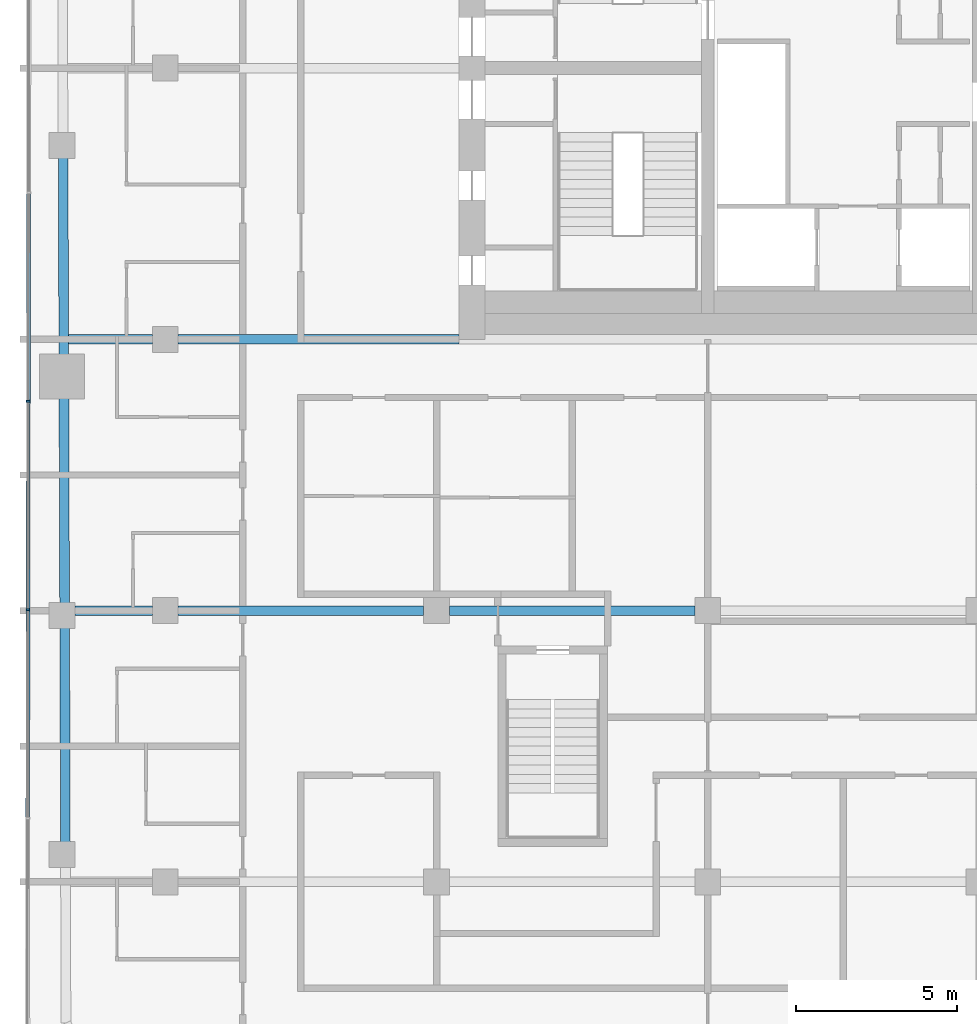
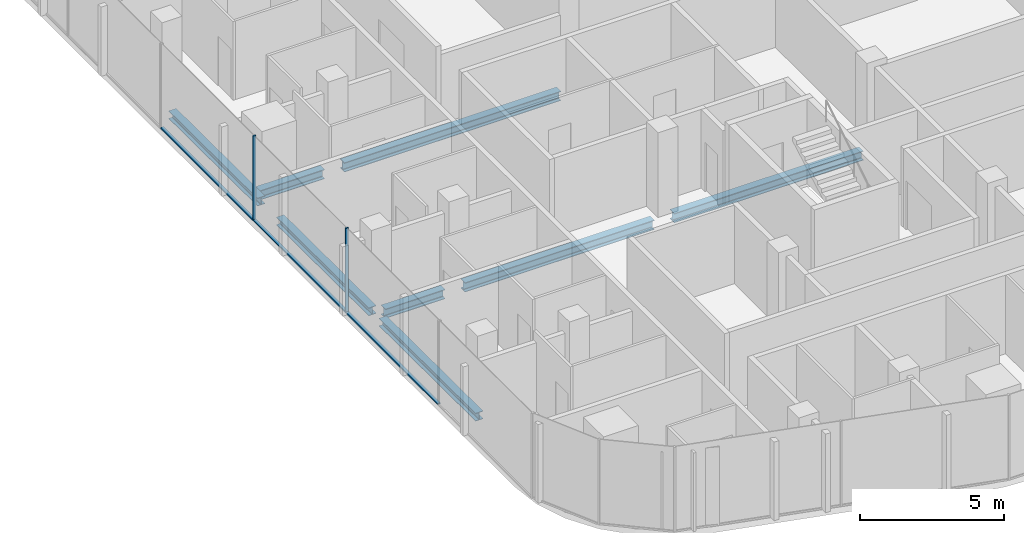
# One storey, part 4 of 22: 8 beams, 5 members, 1 element without a shape of its own.
"""IFC4 building model written with IfcOpenShell, lengths in metres."""

from ifc_helpers import new_model, si_unit, direction, frame, origin, origin_2d, place, context, subcontext, project, spatial, rectangle, i_section, extrude, material, layer, layer_set, material_profile, profile_set, type_object, element, aggregate, save


model = new_model("IFC4")

# Units and contexts
model_context = context("Model", 3, precision=1e-05, world=origin(), true_north=direction((0.0, 1.0)))
body_context = subcontext(model_context, "Body", "Model", "MODEL_VIEW")
ifc_project = project(units=[si_unit("LENGTHUNIT", "METRE"), si_unit("AREAUNIT", "SQUARE_METRE"), si_unit("VOLUMEUNIT", "CUBIC_METRE"), si_unit("PLANEANGLEUNIT", "RADIAN"), si_unit("MASSUNIT", "GRAM", prefix="KILO")], contexts=[model_context])

# Site, building, storey
site_placement = place(None, origin())
site = spatial("IfcSite", under=ifc_project, at=site_placement, CompositionType="ELEMENT")
building_placement = place(site_placement, origin())
building = spatial("IfcBuilding", under=site, at=building_placement, Name="Marenta Gate Hotel Tower", CompositionType="ELEMENT")
storey_placement = place(building_placement, frame((0.0, 0.0, 223.699951171875)))
storey = spatial("IfcBuildingStorey", under=building, at=storey_placement, Name="L52", CompositionType="ELEMENT", Elevation=223.699951171875)

# Beams
ifc_material_1 = material(Name="Steel S355", Category="steel")
ifc_material_profile_1 = material_profile(ifc_material_1, i_section(OverallWidth=0.300048828125, OverallDepth=0.340087890625, WebThickness=0.011962890625, FlangeThickness=0.021484375, FilletRadius=0.027099609375, at=origin_2d()), Name="HEB 340")
ifc_profile_set_1 = profile_set([ifc_material_profile_1], Name="Steel S355")
beam_type_1 = type_object("IfcBeamType", Name="Edge beam HEB 340", PredefinedType="SPANDREL", material=ifc_profile_set_1)
beam_1_placement = place(storey_placement, frame((-24.09375, -15.591796875, -0.429931640625), z_axis=(-0.00332539729, 0.999994470851, 0.0), x_axis=(-0.999994470851, -0.00332539729, 0.0)))
element("IfcBeam", 1, at=beam_1_placement, inside=storey, type_object=beam_type_1, Name="L52-EB-6", PredefinedType="SPANDREL", context=body_context, shape_type="SweptSolid", body=[
    extrude(i_section(OverallWidth=0.300048828125, OverallDepth=0.340087890625, WebThickness=0.011962890625, FlangeThickness=0.021484375, FilletRadius=0.027099609375, at=origin_2d()), origin(), (0.0, 0.0, 1.0), 6.680908203125),
])
beam_2_placement = place(storey_placement, frame((-24.118408203125, -8.19091796875, -0.429931640625), z_axis=(-0.003328723523, 0.999994459785, 0.0), x_axis=(-0.999994459785, -0.003328723523, 0.0)))
element("IfcBeam", 2, at=beam_2_placement, inside=storey, type_object=beam_type_1, Name="L52-EB-7", PredefinedType="SPANDREL", context=body_context, shape_type="SweptSolid", body=[
    extrude(i_section(OverallWidth=0.300048828125, OverallDepth=0.340087890625, WebThickness=0.011962890625, FlangeThickness=0.021484375, FilletRadius=0.027099609375, at=origin_2d()), origin(), (0.0, 0.0, 1.0), 6.380859375),
])
beam_3_placement = place(storey_placement, frame((-24.14404296875, -0.489990234375, -0.429931640625), z_axis=(-0.003303859048, 0.999994542243, 0.0), x_axis=(-0.999994542243, -0.003303859048, 0.0)))
element("IfcBeam", 3, at=beam_3_placement, inside=storey, type_object=beam_type_1, Name="L52-EB-8", PredefinedType="SPANDREL", context=body_context, shape_type="SweptSolid", body=[
    extrude(i_section(OverallWidth=0.300048828125, OverallDepth=0.340087890625, WebThickness=0.011962890625, FlangeThickness=0.021484375, FilletRadius=0.027099609375, at=origin_2d()), origin(), (0.0, 0.0, 1.0), 6.13330078125),
])
ifc_material_2 = material(Name="Steel S355", Category="steel")
ifc_material_profile_2 = material_profile(ifc_material_2, i_section(OverallWidth=0.300048828125, OverallDepth=0.39990234375, WebThickness=0.013427734375, FlangeThickness=0.02392578125, FilletRadius=0.027099609375, at=origin_2d()), Name="HEB 400")
ifc_profile_set_2 = profile_set([ifc_material_profile_2], Name="Steel S355")
beam_type_2 = type_object("IfcBeamType", Name="Girder HEB 400", PredefinedType="BEAM", material=ifc_profile_set_2)
beam_4_placement = place(storey_placement, frame((-23.800048828125, -8.39990234375, -0.4599609375), z_axis=(1.0, 0.0, 0.0), x_axis=(0.0, 1.0, 0.0)))
element("IfcBeam", 4, at=beam_4_placement, inside=storey, type_object=beam_type_2, Name="L52-GD-13", PredefinedType="BEAM", context=body_context, shape_type="SweptSolid", body=[
    extrude(i_section(OverallWidth=0.300048828125, OverallDepth=0.39990234375, WebThickness=0.013427734375, FlangeThickness=0.02392578125, FilletRadius=0.027099609375, at=origin_2d()), origin(), (0.0, 0.0, 1.0), 2.400146484375),
])
beam_5_placement = place(storey_placement, frame((-20.60009765625, -8.39990234375, -0.4599609375), z_axis=(1.0, 0.0, 0.0), x_axis=(0.0, 1.0, 0.0)))
element("IfcBeam", 5, at=beam_5_placement, inside=storey, type_object=beam_type_2, Name="L52-GD-14", PredefinedType="BEAM", context=body_context, shape_type="SweptSolid", body=[
    extrude(i_section(OverallWidth=0.300048828125, OverallDepth=0.39990234375, WebThickness=0.013427734375, FlangeThickness=0.02392578125, FilletRadius=0.027099609375, at=origin_2d()), origin(), (0.0, 0.0, 1.0), 7.60009765625),
])
beam_6_placement = place(storey_placement, frame((-12.199951171875, -8.39990234375, -0.4599609375), z_axis=(1.0, 0.0, 0.0), x_axis=(0.0, 1.0, 0.0)))
element("IfcBeam", 6, at=beam_6_placement, inside=storey, type_object=beam_type_2, Name="L52-GD-15", PredefinedType="BEAM", context=body_context, shape_type="SweptSolid", body=[
    extrude(i_section(OverallWidth=0.300048828125, OverallDepth=0.39990234375, WebThickness=0.013427734375, FlangeThickness=0.02392578125, FilletRadius=0.027099609375, at=origin_2d()), origin(), (0.0, 0.0, 1.0), 7.599853515625),
])
beam_7_placement = place(storey_placement, frame((-23.99560546875, 0.0, -0.4599609375), z_axis=(1.0, 0.0, 0.0), x_axis=(0.0, 1.0, 0.0)))
element("IfcBeam", 7, at=beam_7_placement, inside=storey, type_object=beam_type_2, Name="L52-GD-20", PredefinedType="BEAM", context=body_context, shape_type="SweptSolid", body=[
    extrude(i_section(OverallWidth=0.300048828125, OverallDepth=0.39990234375, WebThickness=0.013427734375, FlangeThickness=0.02392578125, FilletRadius=0.027099609375, at=origin_2d()), origin(), (0.0, 0.0, 1.0), 2.595703125),
])
beam_8_placement = place(storey_placement, frame((-20.60009765625, 0.0, -0.4599609375), z_axis=(1.0, 0.0, 0.0), x_axis=(0.0, 1.0, 0.0)))
element("IfcBeam", 8, at=beam_8_placement, inside=storey, type_object=beam_type_2, Name="L52-GD-21", PredefinedType="BEAM", context=body_context, shape_type="SweptSolid", body=[
    extrude(i_section(OverallWidth=0.300048828125, OverallDepth=0.39990234375, WebThickness=0.013427734375, FlangeThickness=0.02392578125, FilletRadius=0.027099609375, at=origin_2d()), origin(), (0.0, 0.0, 1.0), 8.7001953125),
])

# Curtain wall, members
ifc_material_3 = material(Name="Tinted insulated glass in bronze anodised frame", Category="glass")
ifc_layer = layer(ifc_material_3, 0.1201171875)
ifc_layer_set = layer_set([ifc_layer], Name="Tinted insulated glass in bronze anodised frame")
curtain_wall_type = type_object("IfcCurtainWallType", Name="Tower unitised curtain wall CW1", PredefinedType="NOTDEFINED", material=ifc_layer_set)
curtain_wall_placement = place(storey_placement, origin())
curtain_wall = element("IfcCurtainWall", 9, at=curtain_wall_placement, inside=storey, type_object=curtain_wall_type, Name="CW1 run G03", PredefinedType="NOTDEFINED")
ifc_material_4 = material(Name="Bronze anodised aluminium", Category="aluminium")
ifc_material_profile_3 = material_profile(ifc_material_4, rectangle(XDim=0.1201171875, YDim=0.06005859375, at=origin_2d()), Name="Mullion CW1 60x120 bronze anodised aluminium")
ifc_profile_set_3 = profile_set([ifc_material_profile_3], Name="Bronze anodised aluminium")
member_type_1 = type_object("IfcMemberType", Name="Mullion CW1 60x120 bronze anodised aluminium", PredefinedType="MULLION", material=ifc_profile_set_3)
member_1_placement = place(storey_placement, frame((-25.24267578125, -1.913818359375, 0.0), z_axis=(0.0, 0.0, 1.0), x_axis=(0.99999877375, -0.001566045546, 0.0)))
member_1 = element("IfcMember", 10, at=member_1_placement, type_object=member_type_1, Name="CW1 mullion 4", PredefinedType="MULLION", context=body_context, shape_type="SweptSolid", body=[
    extrude(rectangle(XDim=0.1201171875, YDim=0.06005859375, at=origin_2d()), origin(), (0.0, 0.0, 1.0), 3.60009765625),
])
member_2_placement = place(storey_placement, frame((-25.252685546875, -8.373779296875, 0.0), z_axis=(0.0, 0.0, 1.0), x_axis=(0.99999877375, -0.001566045546, 0.0)))
member_2 = element("IfcMember", 11, at=member_2_placement, type_object=member_type_1, Name="CW1 mullion 5", PredefinedType="MULLION", context=body_context, shape_type="SweptSolid", body=[
    extrude(rectangle(XDim=0.1201171875, YDim=0.06005859375, at=origin_2d()), origin(), (0.0, 0.0, 1.0), 3.60009765625),
])
ifc_material_5 = material(Name="Bronze anodised aluminium", Category="aluminium")
ifc_material_profile_4 = material_profile(ifc_material_5, rectangle(XDim=0.1201171875, YDim=0.06005859375, at=origin_2d()), Name="Transom CW1 60x120 bronze anodised aluminium")
ifc_profile_set_4 = profile_set([ifc_material_profile_4], Name="Bronze anodised aluminium")
member_type_2 = type_object("IfcMemberType", Name="Transom CW1 60x120 bronze anodised aluminium", PredefinedType="USERDEFINED", material=ifc_profile_set_4)
member_3_placement = place(storey_placement, frame((-25.232666015625, 4.51611328125, 0.030029296875), z_axis=(-0.001564047831, -0.999998776876, 0.0), x_axis=(0.999998776876, -0.001564047831, 0.0)))
member_3 = element("IfcMember", 12, at=member_3_placement, type_object=member_type_2, Name="CW1 transom 3.1", ObjectType="TRANSOM", PredefinedType="USERDEFINED", context=body_context, shape_type="SweptSolid", body=[
    extrude(rectangle(XDim=0.1201171875, YDim=0.06005859375, at=origin_2d()), origin(), (0.0, 0.0, 1.0), 6.39990234375),
])
member_4_placement = place(storey_placement, frame((-25.24267578125, -1.94384765625, 0.030029296875), z_axis=(-0.001564047831, -0.999998776876, 0.0), x_axis=(0.999998776876, -0.001564047831, 0.0)))
member_4 = element("IfcMember", 13, at=member_4_placement, type_object=member_type_2, Name="CW1 transom 4.1", ObjectType="TRANSOM", PredefinedType="USERDEFINED", context=body_context, shape_type="SweptSolid", body=[
    extrude(rectangle(XDim=0.1201171875, YDim=0.06005859375, at=origin_2d()), origin(), (0.0, 0.0, 1.0), 6.39990234375),
])
member_5_placement = place(storey_placement, frame((-25.2529296875, -8.40380859375, 0.030029296875), z_axis=(-0.001564047831, -0.999998776876, 0.0), x_axis=(0.999998776876, -0.001564047831, 0.0)))
member_5 = element("IfcMember", 14, at=member_5_placement, type_object=member_type_2, Name="CW1 transom 5.1", ObjectType="TRANSOM", PredefinedType="USERDEFINED", context=body_context, shape_type="SweptSolid", body=[
    extrude(rectangle(XDim=0.1201171875, YDim=0.06005859375, at=origin_2d()), origin(), (0.0, 0.0, 1.0), 6.39990234375),
])
aggregate(curtain_wall, [member_1, member_2, member_3, member_4, member_5])

save(model, "model.ifc")
